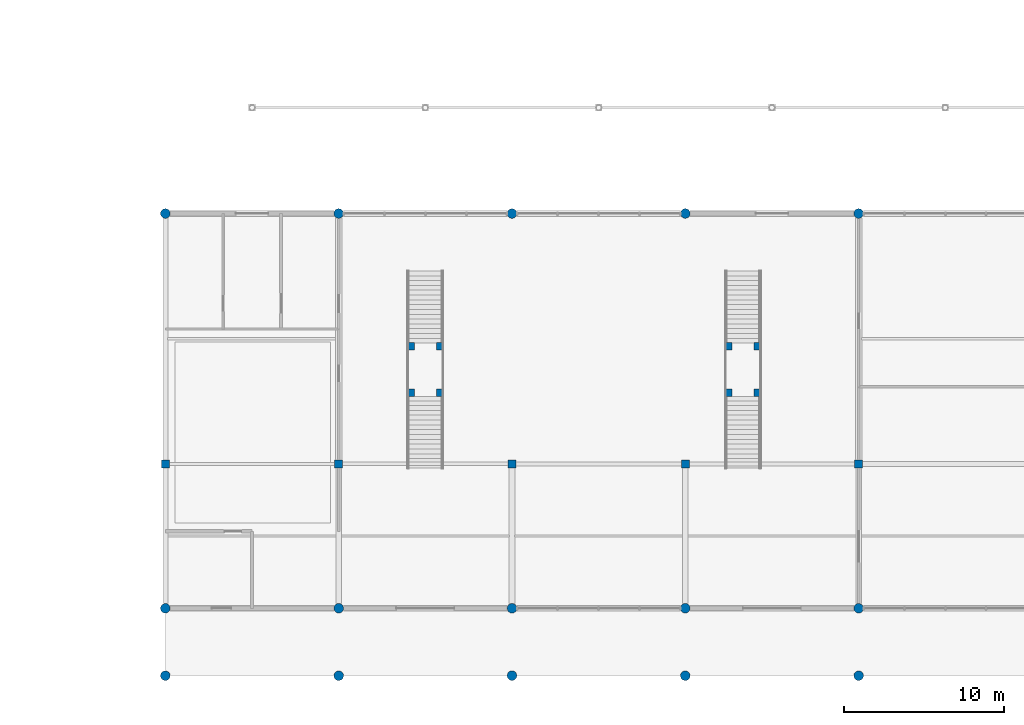
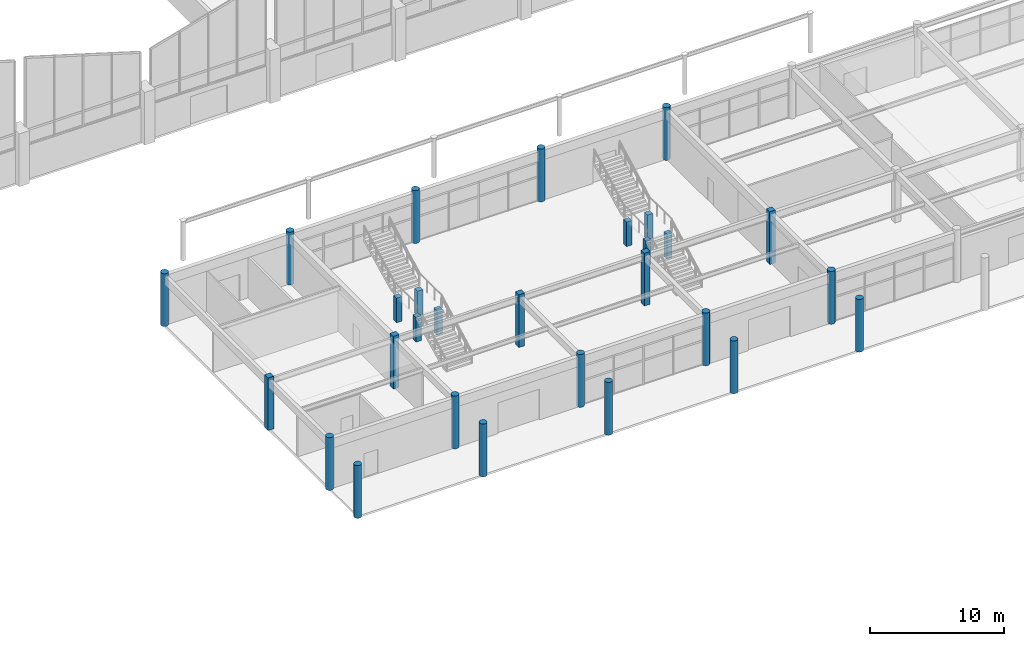
# One storey, part 3 of 82: 28 columns.
"""IFC4 building model written with IfcOpenShell, lengths in metres."""

from ifc_helpers import new_model, si_unit, direction, frame, origin, origin_2d, place, context, subcontext, project, spatial, rectangle, circle, extrude, material, material_profile, profile_set, type_object, element, save


model = new_model("IFC4")

# Units and contexts
model_context = context("Model", 3, precision=1e-05, world=origin(), true_north=direction((0.0, 1.0)))
body_context = subcontext(model_context, "Body", "Model", "MODEL_VIEW")
ifc_project = project(units=[si_unit("LENGTHUNIT", "METRE"), si_unit("AREAUNIT", "SQUARE_METRE"), si_unit("VOLUMEUNIT", "CUBIC_METRE"), si_unit("PLANEANGLEUNIT", "RADIAN"), si_unit("MASSUNIT", "GRAM", prefix="KILO")], contexts=[model_context])

# Site, building, storey
site_placement = place(None, origin())
site = spatial("IfcSite", under=ifc_project, at=site_placement, CompositionType="ELEMENT")
building_placement = place(site_placement, origin())
building = spatial("IfcBuilding", under=site, at=building_placement, Name="Suirenkawa Promenade Aquatics Centre", CompositionType="ELEMENT")
storey_placement = place(building_placement, origin())
storey = spatial("IfcBuildingStorey", under=building, at=storey_placement, Name="L00", CompositionType="ELEMENT", Elevation=0.0)

# Columns
ifc_material = material(Name="Concrete M40", Category="concrete")
ifc_material_profile_1 = material_profile(ifc_material, circle(Radius=0.300048828125, at=origin_2d()), Name="RC FOYER D600", Category="concrete")
ifc_profile_set_1 = profile_set([ifc_material_profile_1], Name="Concrete M40")
column_type_1 = type_object("IfcColumnType", Name="CT-FOYER-D600", PredefinedType="COLUMN", material=ifc_profile_set_1)
for number, where, z_axis, x_axis, name in (
    (1, (79.199951171875, 0.0, 0.0), (0.0, 0.0, 1.0), (1.0, 0.0, 0.0), "Column CL-11 COL-0804"),
    (2, (79.199951171875, 4.199951171875, 0.0), (0.0, 0.0, 1.0), (1.0, 0.0, 0.0), "Column CL-11 COL-0807"),
    (3, (79.199951171875, 28.800048828125, 0.0), (0.0, 0.0, 1.0), (1.0, 0.0, 0.0), "Column CL-11 COL-0813"),
    (4, (90.0, 0.0, 0.0), (0.0, 0.0, 1.0), (1.0, 0.0, 0.0), "Column CL-11 COL-0816"),
    (5, (90.0, 4.199951171875, 0.0), (0.0, 0.0, 1.0), (1.0, 0.0, 0.0), "Column CL-11 COL-0819"),
    (6, (90.0, 28.800048828125, 0.0), (0.0, 0.0, 1.0), (1.0, 0.0, 0.0), "Column CL-11 COL-0825"),
    (7, (100.800048828125, 0.0, 0.0), (0.0, 0.0, 1.0), (1.0, 0.0, 0.0), "Column CL-11 COL-0828"),
    (8, (100.800048828125, 4.199951171875, 0.0), (0.0, 0.0, 1.0), (1.0, 0.0, 0.0), "Column CL-11 COL-0831"),
    (9, (100.800048828125, 28.800048828125, 0.0), (0.0, 0.0, 1.0), (1.0, 0.0, 0.0), "Column CL-11 COL-0837"),
    (10, (111.60009765625, 0.0, 0.0), (0.0, 0.0, 1.0), (1.0, 0.0, 0.0), "Column CL-11 COL-0840"),
    (11, (111.60009765625, 4.199951171875, 0.0), (0.0, 0.0, 1.0), (1.0, 0.0, 0.0), "Column CL-11 COL-0843"),
    (12, (111.60009765625, 28.800048828125, 0.0), (0.0, 0.0, 1.0), (1.0, 0.0, 0.0), "Column CL-11 COL-0849"),
    (13, (122.39990234375, 0.0, 0.0), (0.0, 0.0, 1.0), (1.0, 0.0, 0.0), "Column CL-11 COL-0852"),
    (14, (122.39990234375, 4.199951171875, 0.0), (0.0, 0.0, 1.0), (1.0, 0.0, 0.0), "Column CL-11 COL-0855"),
    (15, (122.39990234375, 28.800048828125, 0.0), (0.0, 0.0, 1.0), (1.0, 0.0, 0.0), "Column CL-11 COL-0861"),
):
    element("IfcColumn", number, at=place(storey_placement, frame(where, z_axis=z_axis, x_axis=x_axis)), inside=storey, type_object=column_type_1, Name=name, PredefinedType="COLUMN", context=body_context, shape_type="SweptSolid", body=[
        extrude(circle(Radius=0.300048828125, at=origin_2d()), origin(), (0.0, 0.0, 1.0), 4.800048828125),
    ])
ifc_material_profile_2 = material_profile(ifc_material, rectangle(XDim=0.449951171875, YDim=0.449951171875, at=origin_2d()), Name="RC COL 450x450", Category="concrete")
ifc_profile_set_2 = profile_set([ifc_material_profile_2], Name="Concrete M40")
column_type_2 = type_object("IfcColumnType", Name="CT-RC-450", PredefinedType="COLUMN", material=ifc_profile_set_2)
for number, where, z_axis, x_axis, name in (
    (16, (94.4951171875, 17.625, 0.0), (0.0, 0.0, 1.0), (1.0, 0.0, 0.0), "Column CL-01 COL-1072"),
    (17, (94.4951171875, 20.52490234375, 0.0), (0.0, 0.0, 1.0), (1.0, 0.0, 0.0), "Column CL-01 COL-1074"),
    (18, (96.304931640625, 17.625, 0.0), (0.0, 0.0, 1.0), (1.0, 0.0, 0.0), "Column CL-01 COL-1076"),
    (19, (96.304931640625, 20.52490234375, 0.0), (0.0, 0.0, 1.0), (1.0, 0.0, 0.0), "Column CL-01 COL-1078"),
    (20, (114.294921875, 17.625, 0.0), (0.0, 0.0, 1.0), (1.0, 0.0, 0.0), "Column CL-01 COL-1080"),
    (21, (114.294921875, 20.52490234375, 0.0), (0.0, 0.0, 1.0), (1.0, 0.0, 0.0), "Column CL-01 COL-1082"),
    (22, (116.10498046875, 17.625, 0.0), (0.0, 0.0, 1.0), (1.0, 0.0, 0.0), "Column CL-01 COL-1084"),
    (23, (116.10498046875, 20.52490234375, 0.0), (0.0, 0.0, 1.0), (1.0, 0.0, 0.0), "Column CL-01 COL-1086"),
):
    element("IfcColumn", number, at=place(storey_placement, frame(where, z_axis=z_axis, x_axis=x_axis)), inside=storey, type_object=column_type_2, Name=name, PredefinedType="COLUMN", context=body_context, shape_type="SweptSolid", body=[
        extrude(rectangle(XDim=0.449951171875, YDim=0.449951171875, at=origin_2d()), origin(), (0.0, 0.0, 1.0), 2.239990234375),
    ])
ifc_material_profile_3 = material_profile(ifc_material, rectangle(XDim=0.5, YDim=0.5, at=origin_2d()), Name="RC COL 500x500", Category="concrete")
ifc_profile_set_3 = profile_set([ifc_material_profile_3], Name="Concrete M40")
column_type_3 = type_object("IfcColumnType", Name="CT-RC-500", PredefinedType="COLUMN", material=ifc_profile_set_3)
for number, where, z_axis, x_axis, name in (
    (24, (79.199951171875, 13.199951171875, 0.0), (0.0, 0.0, 1.0), (1.0, 0.0, 0.0), "Column CL-02 COL-0810"),
    (25, (90.0, 13.199951171875, 0.0), (0.0, 0.0, 1.0), (1.0, 0.0, 0.0), "Column CL-02 COL-0822"),
    (26, (100.800048828125, 13.199951171875, 0.0), (0.0, 0.0, 1.0), (1.0, 0.0, 0.0), "Column CL-02 COL-0834"),
    (27, (111.60009765625, 13.199951171875, 0.0), (0.0, 0.0, 1.0), (1.0, 0.0, 0.0), "Column CL-02 COL-0846"),
    (28, (122.39990234375, 13.199951171875, 0.0), (0.0, 0.0, 1.0), (1.0, 0.0, 0.0), "Column CL-02 COL-0858"),
):
    element("IfcColumn", number, at=place(storey_placement, frame(where, z_axis=z_axis, x_axis=x_axis)), inside=storey, type_object=column_type_3, Name=name, PredefinedType="COLUMN", context=body_context, shape_type="SweptSolid", body=[
        extrude(rectangle(XDim=0.5, YDim=0.5, at=origin_2d()), origin(), (0.0, 0.0, 1.0), 4.800048828125),
    ])

save(model, "model.ifc")
